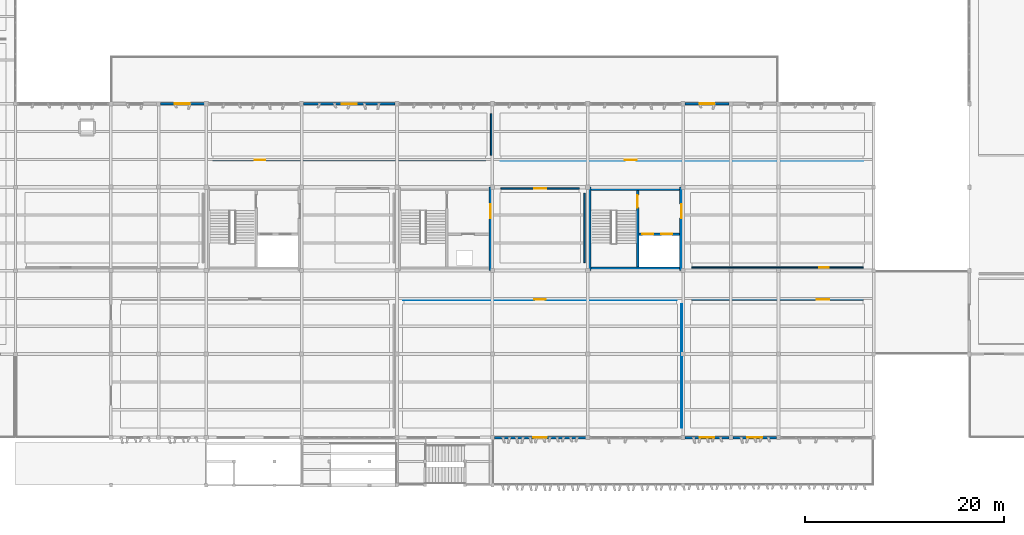
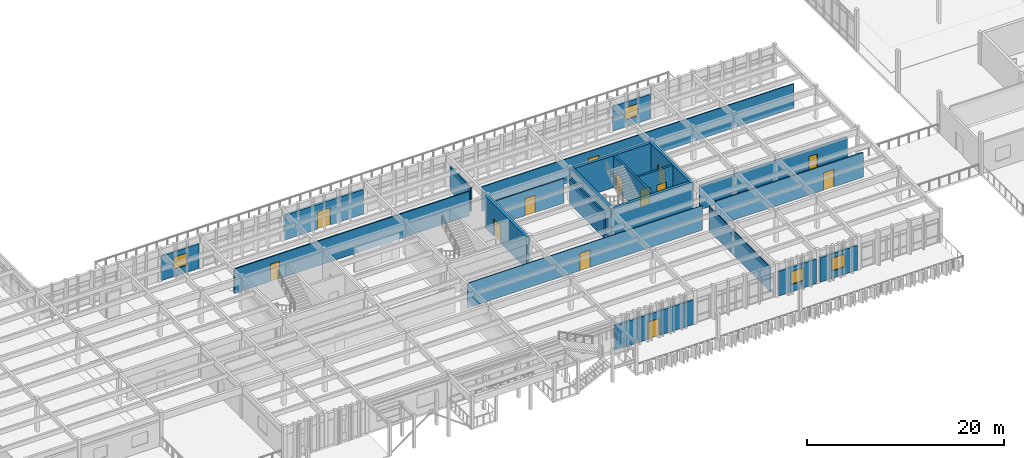
# One storey, part 43 of 61: 22 walls, 13 doors, 4 windows, 17 openings.
"""IFC4 building model written with IfcOpenShell, lengths in metres."""

from ifc_helpers import new_model, si_unit, direction, frame, frame_2d, origin, place, context, subcontext, project, spatial, rectangle, extrude, material, layer, layer_set, type_object, element, fill, save


model = new_model("IFC4")

# Units and contexts
model_context = context("Model", 3, precision=1e-05, world=origin(), true_north=direction((0.0, 1.0)))
body_context = subcontext(model_context, "Body", "Model", "MODEL_VIEW")
ifc_project = project(units=[si_unit("LENGTHUNIT", "METRE"), si_unit("AREAUNIT", "SQUARE_METRE"), si_unit("VOLUMEUNIT", "CUBIC_METRE"), si_unit("PLANEANGLEUNIT", "RADIAN"), si_unit("MASSUNIT", "GRAM", prefix="KILO")], contexts=[model_context])

# Site, building, storey
site_placement = place(None, origin())
site = spatial("IfcSite", under=ifc_project, at=site_placement, CompositionType="ELEMENT")
building_placement = place(site_placement, origin())
building = spatial("IfcBuilding", under=site, at=building_placement, Name="Kolvemor Railside Polytechnic", CompositionType="ELEMENT")
storey_placement = place(building_placement, frame((0.0, 0.0, 10.199951171875)))
storey = spatial("IfcBuildingStorey", under=building, at=storey_placement, Name="L02", CompositionType="ELEMENT", Elevation=10.199951171875)

# Walls
ifc_material_1 = material(Name="Concrete C40/50", Category="concrete")
ifc_layer_1 = layer(ifc_material_1, 0.35009765625, Name="WL-CORE-350")
ifc_layer_set_1 = layer_set([ifc_layer_1], Name="Concrete C40/50")
wall_type_1 = type_object("IfcWallType", Name="WL-CORE-350", PredefinedType="SHEAR", material=ifc_layer_set_1)
for number, where, z_axis, x_axis, name in (
    (1, (105.60009765625, 29.824951171875, 0.0), (0.0, 0.0, 1.0), (1.0, 0.0, 0.0), "CORE-2 North Core Wall L02"),
    (2, (105.60009765625, 21.77490234375, 0.0), (0.0, 0.0, 1.0), (1.0, 0.0, 0.0), "CORE-2 South Core Wall L02"),
):
    element("IfcWall", number, at=place(storey_placement, frame(where, z_axis=z_axis, x_axis=x_axis)), inside=storey, type_object=wall_type_1, Name=name, PredefinedType="SHEAR", context=body_context, shape_type="SweptSolid", body=[
        extrude(rectangle(XDim=9.599853515625, YDim=0.35009765625, at=frame_2d((4.7998046875, 0.0))), origin(), (0.0, 0.0, 1.0), 3.949951171875),
    ])
wall_1_placement = place(storey_placement, frame((105.77490234375, 21.60009765625, 0.0), z_axis=(0.0, 0.0, 1.0), x_axis=(0.0, 1.0, 0.0)))
element("IfcWall", 3, at=wall_1_placement, inside=storey, type_object=wall_type_1, Name="CORE-2 West Core Wall L02", PredefinedType="SHEAR", context=body_context, shape_type="SweptSolid", body=[
    extrude(rectangle(XDim=8.39990234375, YDim=0.35009765625, at=frame_2d((4.199951171875, 0.0))), origin(), (0.0, 0.0, 1.0), 3.949951171875),
])

# Wall, opening, door
wall_2_placement = place(storey_placement, frame((115.02490234375, 21.60009765625, 0.0), z_axis=(0.0, 0.0, 1.0), x_axis=(0.0, 1.0, 0.0)))
wall_2 = element("IfcWall", 4, at=wall_2_placement, inside=storey, type_object=wall_type_1, Name="CORE-2 East Core Wall L02", PredefinedType="SHEAR", context=body_context, shape_type="SweptSolid", body=[
    extrude(rectangle(XDim=8.39990234375, YDim=0.35009765625, at=frame_2d((4.199951171875, 0.0))), origin(), (0.0, 0.0, 1.0), 3.949951171875),
])
opening_1_placement = place(wall_2_placement, frame((5.300048828125, 0.0, 0.0)))
opening_1 = element("IfcOpeningElement", 5, at=opening_1_placement, cuts=wall_2, Name="Opening D-LOB-2-L02", PredefinedType="OPENING", context=body_context, shape_type="SweptSolid", body=[
    extrude(rectangle(XDim=1.39990234375, YDim=2.14990234375, at=frame_2d((0.699951171875, 1.074951171875))), frame((0.0, 0.18505859375, 0.0), z_axis=(0.0, -1.0, 0.0), x_axis=(1.0, 0.0, 0.0)), (0.0, 0.0, 1.0), 0.3701171875),
])
ifc_material_2 = material(Name="Fire-rated hardwood and brushed stainless-steel door", Category="steel")
door_type_1 = type_object("IfcDoorType", Name="DR-FD60-140x215", OperationType="NOTDEFINED", PredefinedType="DOOR", material=ifc_material_2)
door_1_placement = place(opening_1_placement, origin())
door_1 = element("IfcDoor", 6, at=door_1_placement, inside=storey, type_object=door_type_1, Name="Core Lobby Fire Door CORE-2 L02", OperationType="SINGLE_SWING_LEFT", OverallHeight=2.14990234375, OverallWidth=1.39990234375, PredefinedType="DOOR", context=body_context, shape_type="SweptSolid", body=[
    extrude(rectangle(XDim=1.39990234375, YDim=2.14990234375, at=frame_2d((0.699951171875, 1.074951171875))), frame((0.0, 0.02490234375, 0.0), z_axis=(0.0, -1.0, 0.0), x_axis=(1.0, 0.0, 0.0)), (0.0, 0.0, 1.0), 0.050048828125),
])
fill(opening_1, door_1)

wall_3_placement = place(storey_placement, frame((95.824951171875, 21.60009765625, 0.0), z_axis=(0.0, 0.0, 1.0), x_axis=(0.0, 1.0, 0.0)))
wall_3 = element("IfcWall", 7, at=wall_3_placement, inside=storey, type_object=wall_type_1, Name="CORE-3 East Core Wall L02", PredefinedType="SHEAR", context=body_context, shape_type="SweptSolid", body=[
    extrude(rectangle(XDim=8.39990234375, YDim=0.35009765625, at=frame_2d((4.199951171875, 0.0))), origin(), (0.0, 0.0, 1.0), 3.949951171875),
])
opening_2_placement = place(wall_3_placement, frame((5.300048828125, 0.0, 0.0)))
opening_2 = element("IfcOpeningElement", 8, at=opening_2_placement, cuts=wall_3, Name="Opening D-LOB-3-L02", PredefinedType="OPENING", context=body_context, shape_type="SweptSolid", body=[
    extrude(rectangle(XDim=1.39990234375, YDim=2.14990234375, at=frame_2d((0.699951171875, 1.074951171875))), frame((0.0, 0.18505859375, 0.0), z_axis=(0.0, -1.0, 0.0), x_axis=(1.0, 0.0, 0.0)), (0.0, 0.0, 1.0), 0.3701171875),
])
door_2_placement = place(opening_2_placement, origin())
door_2 = element("IfcDoor", 9, at=door_2_placement, inside=storey, type_object=door_type_1, Name="Core Lobby Fire Door CORE-3 L02", OperationType="SINGLE_SWING_LEFT", OverallHeight=2.14990234375, OverallWidth=1.39990234375, PredefinedType="DOOR", context=body_context, shape_type="SweptSolid", body=[
    extrude(rectangle(XDim=1.39990234375, YDim=2.14990234375, at=frame_2d((0.699951171875, 1.074951171875))), frame((0.0, 0.02490234375, 0.0), z_axis=(0.0, -1.0, 0.0), x_axis=(1.0, 0.0, 0.0)), (0.0, 0.0, 1.0), 0.050048828125),
])
fill(opening_2, door_2)

# Wall, opening, window
ifc_material_3 = material(Name="Cross-laminated timber CLT E1", Category="wood")
ifc_layer_2 = layer(ifc_material_3, 0.2099609375, Name="WL-EXT-TM-210")
ifc_layer_set_2 = layer_set([ifc_layer_2], Name="Cross-laminated timber CLT E1")
wall_type_2 = type_object("IfcWallType", Name="WL-EXT-TM-210", PredefinedType="SOLIDWALL", material=ifc_layer_set_2)
wall_4_placement = place(storey_placement, frame((67.0, 38.39990234375, 0.0), z_axis=(0.0, 0.0, 1.0), x_axis=(-1.0, 0.0, 0.0)))
wall_4 = element("IfcWall", 10, at=wall_4_placement, inside=storey, type_object=wall_type_2, Name="Exterior Wall L02-0149", PredefinedType="SOLIDWALL", context=body_context, shape_type="SweptSolid", body=[
    extrude(rectangle(XDim=4.39990234375, YDim=0.2099609375, at=frame_2d((2.199951171875, 0.0))), origin(), (0.0, 0.0, 1.0), 3.050048828125),
])
opening_3_placement = place(wall_4_placement, frame((1.449951171875, 0.0, 0.89990234375)))
opening_3 = element("IfcOpeningElement", 11, at=opening_3_placement, cuts=wall_4, Name="Opening WN-LAB4", PredefinedType="OPENING", context=body_context, shape_type="SweptSolid", body=[
    extrude(rectangle(XDim=1.5, YDim=1.5, at=frame_2d((0.75, 0.75))), frame((0.0, 0.114990234375, 0.0), z_axis=(0.0, -1.0, 0.0), x_axis=(1.0, 0.0, 0.0)), (0.0, 0.0, 1.0), 0.22998046875),
])
ifc_material_4 = material(Name="Hurricane-laminated thermally broken aluminium window", Category="aluminium")
window_type_1 = type_object("IfcWindowType", Name="WN-LAB-150x150", PartitioningType="SINGLE_PANEL", PredefinedType="WINDOW", material=ifc_material_4)
window_1_placement = place(opening_3_placement, origin())
window_1 = element("IfcWindow", 12, at=window_1_placement, inside=storey, type_object=window_type_1, Name="Window L02-0162", OverallHeight=1.5, OverallWidth=1.5, PartitioningType="SINGLE_PANEL", PredefinedType="WINDOW", context=body_context, shape_type="SweptSolid", body=[
    extrude(rectangle(XDim=1.5, YDim=1.5, at=frame_2d((0.75, 0.75))), frame((0.0, 0.030029296875, 0.0), z_axis=(0.0, -1.0, 0.0), x_axis=(1.0, 0.0, 0.0)), (0.0, 0.0, 1.0), 0.06005859375),
])
fill(opening_3, window_1)

wall_5_placement = place(storey_placement, frame((119.800048828125, 38.39990234375, 0.0), z_axis=(0.0, 0.0, 1.0), x_axis=(-1.0, 0.0, 0.0)))
wall_5 = element("IfcWall", 13, at=wall_5_placement, inside=storey, type_object=wall_type_2, Name="Exterior Wall L02-0151", PredefinedType="SOLIDWALL", context=body_context, shape_type="SweptSolid", body=[
    extrude(rectangle(XDim=4.400146484375, YDim=0.2099609375, at=frame_2d((2.2001953125, 0.0))), origin(), (0.0, 0.0, 1.0), 3.050048828125),
])
opening_4_placement = place(wall_5_placement, frame((1.449951171875, 0.0, 0.89990234375)))
opening_4 = element("IfcOpeningElement", 14, at=opening_4_placement, cuts=wall_5, Name="Opening WN-LAB4", PredefinedType="OPENING", context=body_context, shape_type="SweptSolid", body=[
    extrude(rectangle(XDim=1.5, YDim=1.5, at=frame_2d((0.75, 0.75))), frame((0.0, 0.114990234375, 0.0), z_axis=(0.0, -1.0, 0.0), x_axis=(1.0, 0.0, 0.0)), (0.0, 0.0, 1.0), 0.22998046875),
])
window_2_placement = place(opening_4_placement, origin())
window_2 = element("IfcWindow", 15, at=window_2_placement, inside=storey, type_object=window_type_1, Name="Window L02-0163", OverallHeight=1.5, OverallWidth=1.5, PartitioningType="SINGLE_PANEL", PredefinedType="WINDOW", context=body_context, shape_type="SweptSolid", body=[
    extrude(rectangle(XDim=1.5, YDim=1.5, at=frame_2d((0.75, 0.75))), frame((0.0, 0.030029296875, 0.0), z_axis=(0.0, -1.0, 0.0), x_axis=(1.0, 0.0, 0.0)), (0.0, 0.0, 1.0), 0.06005859375),
])
fill(opening_4, window_2)

# Wall, opening, door
ifc_material_5 = material(Name="Cross-laminated timber CLT E1", Category="wood")
ifc_layer_3 = layer(ifc_material_5, 0.2548828125, Name="WL-EXT-TM-255")
ifc_layer_set_3 = layer_set([ifc_layer_3], Name="Cross-laminated timber CLT E1")
wall_type_3 = type_object("IfcWallType", Name="WL-EXT-TM-255", PredefinedType="SOLIDWALL", material=ifc_layer_set_3)
wall_6_placement = place(storey_placement, frame((96.199951171875, 4.800048828125, 0.0), z_axis=(0.0, 0.0, 1.0), x_axis=(1.0, 0.0, 0.0)))
wall_6 = element("IfcWall", 16, at=wall_6_placement, inside=storey, type_object=wall_type_3, Name="Exterior Wall L02-0126", PredefinedType="SOLIDWALL", context=body_context, shape_type="SweptSolid", body=[
    extrude(rectangle(XDim=9.199951171875, YDim=0.2548828125, at=frame_2d((4.60009765625, 0.0))), origin(), (0.0, 0.0, 1.0), 3.050048828125),
])
opening_5_placement = place(wall_6_placement, frame((3.925048828125, 0.0, 0.0)))
opening_5 = element("IfcOpeningElement", 17, at=opening_5_placement, cuts=wall_6, Name="Opening D-TER-L02SEP", PredefinedType="OPENING", context=body_context, shape_type="SweptSolid", body=[
    extrude(rectangle(XDim=1.35009765625, YDim=2.14990234375, at=frame_2d((0.675048828125, 1.074951171875))), frame((0.0, 0.137451171875, 0.0), z_axis=(0.0, -1.0, 0.0), x_axis=(1.0, 0.0, 0.0)), (0.0, 0.0, 1.0), 0.27490234375),
])
ifc_material_6 = material(Name="Marine-grade thermally broken aluminium and laminated glass door", Category="aluminium")
door_type_2 = type_object("IfcDoorType", Name="DR-TER-135x215", OperationType="NOTDEFINED", PredefinedType="DOOR", material=ifc_material_6)
door_3_placement = place(opening_5_placement, origin())
door_3 = element("IfcDoor", 18, at=door_3_placement, inside=storey, type_object=door_type_2, Name="Exterior Door D-TER-L02SEP", OperationType="SINGLE_SWING_RIGHT", OverallHeight=2.14990234375, OverallWidth=1.35009765625, PredefinedType="DOOR", context=body_context, shape_type="SweptSolid", body=[
    extrude(rectangle(XDim=1.35009765625, YDim=2.14990234375, at=frame_2d((0.675048828125, 1.074951171875))), frame((0.0, 0.02490234375, 0.0), z_axis=(0.0, -1.0, 0.0), x_axis=(1.0, 0.0, 0.0)), (0.0, 0.0, 1.0), 0.050048828125),
])
fill(opening_5, door_3)

# Wall, opening, window
wall_7_placement = place(storey_placement, frame((115.39990234375, 4.800048828125, 0.0), z_axis=(0.0, 0.0, 1.0), x_axis=(1.0, 0.0, 0.0)))
wall_7 = element("IfcWall", 19, at=wall_7_placement, inside=storey, type_object=wall_type_3, Name="Exterior Wall L02-0127", PredefinedType="SOLIDWALL", context=body_context, shape_type="SweptSolid", body=[
    extrude(rectangle(XDim=4.400146484375, YDim=0.2548828125, at=frame_2d((2.2001953125, 0.0))), origin(), (0.0, 0.0, 1.0), 3.050048828125),
])
opening_6_placement = place(wall_7_placement, frame((1.449951171875, 0.0, 0.89990234375)))
opening_6 = element("IfcOpeningElement", 20, at=opening_6_placement, cuts=wall_7, Name="Opening WN-STU4", PredefinedType="OPENING", context=body_context, shape_type="SweptSolid", body=[
    extrude(rectangle(XDim=1.5, YDim=1.60009765625, at=frame_2d((0.75, 0.800048828125))), frame((0.0, 0.137451171875, 0.0), z_axis=(0.0, -1.0, 0.0), x_axis=(1.0, 0.0, 0.0)), (0.0, 0.0, 1.0), 0.27490234375),
])
ifc_material_7 = material(Name="Hurricane-laminated thermally broken aluminium window", Category="aluminium")
window_type_2 = type_object("IfcWindowType", Name="WN-STU-150x160", PartitioningType="SINGLE_PANEL", PredefinedType="WINDOW", material=ifc_material_7)
window_3_placement = place(opening_6_placement, origin())
window_3 = element("IfcWindow", 21, at=window_3_placement, inside=storey, type_object=window_type_2, Name="Window L02-0136", OverallHeight=1.60009765625, OverallWidth=1.5, PartitioningType="SINGLE_PANEL", PredefinedType="WINDOW", context=body_context, shape_type="SweptSolid", body=[
    extrude(rectangle(XDim=1.5, YDim=1.60009765625, at=frame_2d((0.75, 0.800048828125))), frame((0.0, 0.030029296875, 0.0), z_axis=(0.0, -1.0, 0.0), x_axis=(1.0, 0.0, 0.0)), (0.0, 0.0, 1.0), 0.06005859375),
])
fill(opening_6, window_3)

wall_8_placement = place(storey_placement, frame((120.199951171875, 4.800048828125, 0.0), z_axis=(0.0, 0.0, 1.0), x_axis=(1.0, 0.0, 0.0)))
wall_8 = element("IfcWall", 22, at=wall_8_placement, inside=storey, type_object=wall_type_3, Name="Exterior Wall L02-0128", PredefinedType="SOLIDWALL", context=body_context, shape_type="SweptSolid", body=[
    extrude(rectangle(XDim=4.400146484375, YDim=0.2548828125, at=frame_2d((2.2001953125, 0.0))), origin(), (0.0, 0.0, 1.0), 3.050048828125),
])
opening_7_placement = place(wall_8_placement, frame((1.449951171875, 0.0, 0.89990234375)))
opening_7 = element("IfcOpeningElement", 23, at=opening_7_placement, cuts=wall_8, Name="Opening WN-STU4", PredefinedType="OPENING", context=body_context, shape_type="SweptSolid", body=[
    extrude(rectangle(XDim=1.5, YDim=1.60009765625, at=frame_2d((0.75, 0.800048828125))), frame((0.0, 0.137451171875, 0.0), z_axis=(0.0, -1.0, 0.0), x_axis=(1.0, 0.0, 0.0)), (0.0, 0.0, 1.0), 0.27490234375),
])
window_4_placement = place(opening_7_placement, origin())
window_4 = element("IfcWindow", 24, at=window_4_placement, inside=storey, type_object=window_type_2, Name="Window L02-0137", OverallHeight=1.60009765625, OverallWidth=1.5, PartitioningType="SINGLE_PANEL", PredefinedType="WINDOW", context=body_context, shape_type="SweptSolid", body=[
    extrude(rectangle(XDim=1.5, YDim=1.60009765625, at=frame_2d((0.75, 0.800048828125))), frame((0.0, 0.030029296875, 0.0), z_axis=(0.0, -1.0, 0.0), x_axis=(1.0, 0.0, 0.0)), (0.0, 0.0, 1.0), 0.06005859375),
])
fill(opening_7, window_4)

# Wall, opening, door
wall_9_placement = place(storey_placement, frame((86.199951171875, 38.39990234375, 0.0), z_axis=(0.0, 0.0, 1.0), x_axis=(-1.0, 0.0, 0.0)))
wall_9 = element("IfcWall", 25, at=wall_9_placement, inside=storey, type_object=wall_type_3, Name="Exterior Wall L02-0150", PredefinedType="SOLIDWALL", context=body_context, shape_type="SweptSolid", body=[
    extrude(rectangle(XDim=9.199951171875, YDim=0.2548828125, at=frame_2d((4.60009765625, 0.0))), origin(), (0.0, 0.0, 1.0), 3.050048828125),
])
opening_8_placement = place(wall_9_placement, frame((3.85009765625, 0.0, 0.0)))
opening_8 = element("IfcOpeningElement", 26, at=opening_8_placement, cuts=wall_9, Name="Opening D-TER-L02N", PredefinedType="OPENING", context=body_context, shape_type="SweptSolid", body=[
    extrude(rectangle(XDim=1.5, YDim=2.14990234375, at=frame_2d((0.75, 1.074951171875))), frame((0.0, 0.137451171875, 0.0), z_axis=(0.0, -1.0, 0.0), x_axis=(1.0, 0.0, 0.0)), (0.0, 0.0, 1.0), 0.27490234375),
])
ifc_material_8 = material(Name="Marine-grade thermally broken aluminium and laminated glass door", Category="aluminium")
door_type_3 = type_object("IfcDoorType", Name="DR-TER-150x215", OperationType="NOTDEFINED", PredefinedType="DOOR", material=ifc_material_8)
door_4_placement = place(opening_8_placement, origin())
door_4 = element("IfcDoor", 27, at=door_4_placement, inside=storey, type_object=door_type_3, Name="Exterior Door D-TER-L02N", OperationType="SINGLE_SWING_LEFT", OverallHeight=2.14990234375, OverallWidth=1.5, PredefinedType="DOOR", context=body_context, shape_type="SweptSolid", body=[
    extrude(rectangle(XDim=1.5, YDim=2.14990234375, at=frame_2d((0.75, 1.074951171875))), frame((0.0, 0.02490234375, 0.0), z_axis=(0.0, -1.0, 0.0), x_axis=(1.0, 0.0, 0.0)), (0.0, 0.0, 1.0), 0.050048828125),
])
fill(opening_8, door_4)

ifc_material_9 = material(Name="Demountable studio critique screen wall")
ifc_layer_4 = layer(ifc_material_9, 0.10009765625, Name="WL-MOV-100")
ifc_layer_set_4 = layer_set([ifc_layer_4], Name="Demountable studio critique screen wall")
wall_type_4 = type_object("IfcWallType", Name="WL-MOV-100", PredefinedType="MOVABLE", material=ifc_layer_set_4)
wall_10_placement = place(storey_placement, frame((87.050048828125, 18.679931640625, 0.0), z_axis=(0.0, 0.0, 1.0), x_axis=(1.0, 0.0, 0.0)))
wall_10 = element("IfcWall", 28, at=wall_10_placement, inside=storey, type_object=wall_type_4, Name="Partition Wall L02-0143", PredefinedType="MOVABLE", context=body_context, shape_type="SweptSolid", body=[
    extrude(rectangle(XDim=27.5, YDim=0.10009765625, at=frame_2d((13.75, 0.0))), origin(), (0.0, 0.0, 1.0), 3.030029296875),
])
opening_9_placement = place(wall_10_placement, frame((13.159912109375, 0.0, 0.0)))
opening_9 = element("IfcOpeningElement", 29, at=opening_9_placement, cuts=wall_10, Name="Opening D-02081", PredefinedType="OPENING", context=body_context, shape_type="SweptSolid", body=[
    extrude(rectangle(XDim=1.179931640625, YDim=2.14990234375, at=frame_2d((0.58984375, 1.074951171875))), frame((0.0, 0.06005859375, 0.0), z_axis=(0.0, -1.0, 0.0), x_axis=(1.0, 0.0, 0.0)), (0.0, 0.0, 1.0), 0.1201171875),
])
ifc_material_10 = material(Name="Solid hardwood acoustic door", Category="wood")
door_type_4 = type_object("IfcDoorType", Name="DR-STU-118x215", OperationType="NOTDEFINED", PredefinedType="DOOR", material=ifc_material_10)
door_5_placement = place(opening_9_placement, origin())
door_5 = element("IfcDoor", 30, at=door_5_placement, inside=storey, type_object=door_type_4, Name="Room Door D-02081 (Tropical Architecture Design Studio)", OperationType="SINGLE_SWING_RIGHT", OverallHeight=2.14990234375, OverallWidth=1.179931640625, PredefinedType="DOOR", context=body_context, shape_type="SweptSolid", body=[
    extrude(rectangle(XDim=1.179931640625, YDim=2.14990234375, at=frame_2d((0.58984375, 1.074951171875))), frame((0.0, 0.02490234375, 0.0), z_axis=(0.0, -1.0, 0.0), x_axis=(1.0, 0.0, 0.0)), (0.0, 0.0, 1.0), 0.050048828125),
])
fill(opening_9, door_5)

# Wall
wall_11_placement = place(storey_placement, frame((115.080078125, 5.800048828125, 0.0), z_axis=(0.0, 0.0, 1.0), x_axis=(0.0, 1.0, 0.0)))
element("IfcWall", 31, at=wall_11_placement, inside=storey, type_object=wall_type_4, Name="Demising Partition L02-0144", PredefinedType="MOVABLE", context=body_context, shape_type="SweptSolid", body=[
    extrude(rectangle(XDim=12.39990234375, YDim=0.10009765625, at=frame_2d((6.199951171875, 0.0))), origin(), (0.0, 0.0, 1.0), 3.030029296875),
])

# Wall, opening, door
wall_12_placement = place(storey_placement, frame((96.85009765625, 32.719970703125, 0.0), z_axis=(0.0, 0.0, 1.0), x_axis=(1.0, 0.0, 0.0)))
wall_12 = element("IfcWall", 32, at=wall_12_placement, inside=storey, type_object=wall_type_4, Name="Partition Wall L02-0155", PredefinedType="MOVABLE", context=body_context, shape_type="SweptSolid", body=[
    extrude(rectangle(XDim=36.5, YDim=0.10009765625, at=frame_2d((18.25, 0.0))), origin(), (0.0, 0.0, 1.0), 3.030029296875),
])
opening_10_placement = place(wall_12_placement, frame((12.48193359375, 0.0, 0.0)))
opening_10 = element("IfcOpeningElement", 33, at=opening_10_placement, cuts=wall_12, Name="Opening D-02088", PredefinedType="OPENING", context=body_context, shape_type="SweptSolid", body=[
    extrude(rectangle(XDim=1.179931640625, YDim=2.14990234375, at=frame_2d((0.58984375, 1.074951171875))), frame((0.0, 0.06005859375, 0.0), z_axis=(0.0, -1.0, 0.0), x_axis=(1.0, 0.0, 0.0)), (0.0, 0.0, 1.0), 0.1201171875),
])
door_6_placement = place(opening_10_placement, origin())
door_6 = element("IfcDoor", 34, at=door_6_placement, inside=storey, type_object=door_type_4, Name="Room Door D-02088 (Product Ergonomics Design Studio)", OperationType="SINGLE_SWING_LEFT", OverallHeight=2.14990234375, OverallWidth=1.179931640625, PredefinedType="DOOR", context=body_context, shape_type="SweptSolid", body=[
    extrude(rectangle(XDim=1.179931640625, YDim=2.14990234375, at=frame_2d((0.58984375, 1.074951171875))), frame((0.0, 0.02490234375, 0.0), z_axis=(0.0, -1.0, 0.0), x_axis=(1.0, 0.0, 0.0)), (0.0, 0.0, 1.0), 0.050048828125),
])
fill(opening_10, door_6)

ifc_material_11 = material(Name="Wet-area tile-backer partition")
ifc_layer_5 = layer(ifc_material_11, 0.1201171875, Name="WL-PART-120")
ifc_layer_set_5 = layer_set([ifc_layer_5], Name="Wet-area tile-backer partition")
wall_type_5 = type_object("IfcWallType", Name="WL-PART-120", PredefinedType="PARTITIONING", material=ifc_layer_set_5)
wall_13_placement = place(storey_placement, frame((116.050048828125, 21.919921875, 0.0), z_axis=(0.0, 0.0, 1.0), x_axis=(1.0, 0.0, 0.0)))
wall_13 = element("IfcWall", 35, at=wall_13_placement, inside=storey, type_object=wall_type_5, Name="Partition Wall L02-0152", PredefinedType="PARTITIONING", context=body_context, shape_type="SweptSolid", body=[
    extrude(rectangle(XDim=17.300048828125, YDim=0.1201171875, at=frame_2d((8.64990234375, 0.0))), origin(), (0.0, 0.0, 1.0), 3.030029296875),
])
opening_11_placement = place(wall_13_placement, frame((12.840087890625, 0.0, 0.0)))
opening_11 = element("IfcOpeningElement", 36, at=opening_11_placement, cuts=wall_13, Name="Opening D-02086", PredefinedType="OPENING", context=body_context, shape_type="SweptSolid", body=[
    extrude(rectangle(XDim=0.949951171875, YDim=2.10009765625, at=frame_2d((0.47509765625, 1.050048828125))), frame((0.0, 0.070068359375, 0.0), z_axis=(0.0, -1.0, 0.0), x_axis=(1.0, 0.0, 0.0)), (0.0, 0.0, 1.0), 0.14013671875),
])
ifc_material_12 = material(Name="Solid hardwood acoustic door", Category="wood")
door_type_5 = type_object("IfcDoorType", Name="DR-WC-095x210", OperationType="NOTDEFINED", PredefinedType="DOOR", material=ifc_material_12)
door_7_placement = place(opening_11_placement, origin())
door_7 = element("IfcDoor", 37, at=door_7_placement, inside=storey, type_object=door_type_5, Name="Room Door D-02086 (Main Stack Public and Accessible WC L02)", OperationType="SINGLE_SWING_LEFT", OverallHeight=2.10009765625, OverallWidth=0.949951171875, PredefinedType="DOOR", context=body_context, shape_type="SweptSolid", body=[
    extrude(rectangle(XDim=0.949951171875, YDim=2.10009765625, at=frame_2d((0.47509765625, 1.050048828125))), frame((0.0, 0.02490234375, 0.0), z_axis=(0.0, -1.0, 0.0), x_axis=(1.0, 0.0, 0.0)), (0.0, 0.0, 1.0), 0.050048828125),
])
fill(opening_11, door_7)

ifc_material_13 = material(Name="Seminar acoustic partition")
ifc_layer_6 = layer(ifc_material_13, 0.139892578125, Name="WL-PART-140")
ifc_layer_set_6 = layer_set([ifc_layer_6], Name="Seminar acoustic partition")
wall_type_6 = type_object("IfcWallType", Name="WL-PART-140", PredefinedType="PARTITIONING", material=ifc_layer_set_6)
wall_14_placement = place(storey_placement, frame((67.85009765625, 32.719970703125, 0.0), z_axis=(0.0, 0.0, 1.0), x_axis=(1.0, 0.0, 0.0)))
wall_14 = element("IfcWall", 38, at=wall_14_placement, inside=storey, type_object=wall_type_6, Name="Partition Wall L02-0153", PredefinedType="PARTITIONING", context=body_context, shape_type="SweptSolid", body=[
    extrude(rectangle(XDim=27.5, YDim=0.139892578125, at=frame_2d((13.75, 0.0))), origin(), (0.0, 0.0, 1.0), 3.030029296875),
])
opening_12_placement = place(wall_14_placement, frame((4.2490234375, 0.0, 0.0)))
opening_12 = element("IfcOpeningElement", 39, at=opening_12_placement, cuts=wall_14, Name="Opening D-02087", PredefinedType="OPENING", context=body_context, shape_type="SweptSolid", body=[
    extrude(rectangle(XDim=1.0400390625, YDim=2.14990234375, at=frame_2d((0.52001953125, 1.074951171875))), frame((0.0, 0.079833984375, 0.0), z_axis=(0.0, -1.0, 0.0), x_axis=(1.0, 0.0, 0.0)), (0.0, 0.0, 1.0), 0.159912109375),
])
ifc_material_14 = material(Name="Solid hardwood acoustic door", Category="wood")
door_type_6 = type_object("IfcDoorType", Name="DR-SEM-104x215", OperationType="NOTDEFINED", PredefinedType="DOOR", material=ifc_material_14)
door_8_placement = place(opening_12_placement, origin())
door_8 = element("IfcDoor", 40, at=door_8_placement, inside=storey, type_object=door_type_6, Name="Room Door D-02087 (Seminar Room 204)", OperationType="SINGLE_SWING_RIGHT", OverallHeight=2.14990234375, OverallWidth=1.0400390625, PredefinedType="DOOR", context=body_context, shape_type="SweptSolid", body=[
    extrude(rectangle(XDim=1.0400390625, YDim=2.14990234375, at=frame_2d((0.52001953125, 1.074951171875))), frame((0.0, 0.02490234375, 0.0), z_axis=(0.0, -1.0, 0.0), x_axis=(1.0, 0.0, 0.0)), (0.0, 0.0, 1.0), 0.050048828125),
])
fill(opening_12, door_8)

# Wall
wall_15_placement = place(storey_placement, frame((95.8798828125, 33.199951171875, 0.0), z_axis=(0.0, 0.0, 1.0), x_axis=(0.0, 1.0, 0.0)))
element("IfcWall", 41, at=wall_15_placement, inside=storey, type_object=wall_type_6, Name="Demising Partition L02-0154", PredefinedType="PARTITIONING", context=body_context, shape_type="SweptSolid", body=[
    extrude(rectangle(XDim=4.199951171875, YDim=0.139892578125, at=frame_2d((2.10009765625, 0.0))), origin(), (0.0, 0.0, 1.0), 3.030029296875),
])

# Wall, opening, door
ifc_material_15 = material(Name="Fire-rated laboratory corridor partition")
ifc_layer_7 = layer(ifc_material_15, 0.1650390625, Name="WL-PART-165")
ifc_layer_set_7 = layer_set([ifc_layer_7], Name="Fire-rated laboratory corridor partition")
wall_type_7 = type_object("IfcWallType", Name="WL-PART-165", PredefinedType="PARTITIONING", material=ifc_layer_set_7)
wall_16_placement = place(storey_placement, frame((116.050048828125, 18.679931640625, 0.0), z_axis=(0.0, 0.0, 1.0), x_axis=(1.0, 0.0, 0.0)))
wall_16 = element("IfcWall", 42, at=wall_16_placement, inside=storey, type_object=wall_type_7, Name="Partition Wall L02-0145", PredefinedType="PARTITIONING", context=body_context, shape_type="SweptSolid", body=[
    extrude(rectangle(XDim=17.300048828125, YDim=0.1650390625, at=frame_2d((8.64990234375, 0.0))), origin(), (0.0, 0.0, 1.0), 3.030029296875),
])
opening_13_placement = place(wall_16_placement, frame((12.6240234375, 0.0, 0.0)))
opening_13 = element("IfcOpeningElement", 43, at=opening_13_placement, cuts=wall_16, Name="Opening D-02082", PredefinedType="OPENING", context=body_context, shape_type="SweptSolid", body=[
    extrude(rectangle(XDim=1.219970703125, YDim=2.14990234375, at=frame_2d((0.60986328125, 1.074951171875))), frame((0.0, 0.092529296875, 0.0), z_axis=(0.0, -1.0, 0.0), x_axis=(1.0, 0.0, 0.0)), (0.0, 0.0, 1.0), 0.18505859375),
])
ifc_material_16 = material(Name="Fire-rated hardwood and brushed stainless-steel door", Category="steel")
door_type_7 = type_object("IfcDoorType", Name="DR-LAB-122x215", OperationType="NOTDEFINED", PredefinedType="DOOR", material=ifc_material_16)
door_9_placement = place(opening_13_placement, origin())
door_9 = element("IfcDoor", 44, at=door_9_placement, inside=storey, type_object=door_type_7, Name="Room Door D-02082 (Solar Photovoltaics and Microgrid Laboratory)", OperationType="SINGLE_SWING_LEFT", OverallHeight=2.14990234375, OverallWidth=1.219970703125, PredefinedType="DOOR", context=body_context, shape_type="SweptSolid", body=[
    extrude(rectangle(XDim=1.219970703125, YDim=2.14990234375, at=frame_2d((0.60986328125, 1.074951171875))), frame((0.0, 0.02490234375, 0.0), z_axis=(0.0, -1.0, 0.0), x_axis=(1.0, 0.0, 0.0)), (0.0, 0.0, 1.0), 0.050048828125),
])
fill(opening_13, door_9)

wall_17_placement = place(storey_placement, frame((96.85009765625, 29.8798828125, 0.0), z_axis=(0.0, 0.0, 1.0), x_axis=(1.0, 0.0, 0.0)))
wall_17 = element("IfcWall", 45, at=wall_17_placement, inside=storey, type_object=wall_type_7, Name="Partition Wall L02-0150", PredefinedType="PARTITIONING", context=body_context, shape_type="SweptSolid", body=[
    extrude(rectangle(XDim=7.89990234375, YDim=0.1650390625, at=frame_2d((3.949951171875, 0.0))), origin(), (0.0, 0.0, 1.0), 3.030029296875),
])
opening_14_placement = place(wall_17_placement, frame((3.340087890625, 0.0, 0.0)))
opening_14 = element("IfcOpeningElement", 46, at=opening_14_placement, cuts=wall_17, Name="Opening D-02085", PredefinedType="OPENING", context=body_context, shape_type="SweptSolid", body=[
    extrude(rectangle(XDim=1.219970703125, YDim=2.14990234375, at=frame_2d((0.60986328125, 1.074951171875))), frame((0.0, 0.092529296875, 0.0), z_axis=(0.0, -1.0, 0.0), x_axis=(1.0, 0.0, 0.0)), (0.0, 0.0, 1.0), 0.18505859375),
])
door_10_placement = place(opening_14_placement, origin())
door_10 = element("IfcDoor", 47, at=door_10_placement, inside=storey, type_object=door_type_7, Name="Room Door D-02085 (Telecommunications and RF Laboratory)", OperationType="SINGLE_SWING_RIGHT", OverallHeight=2.14990234375, OverallWidth=1.219970703125, PredefinedType="DOOR", context=body_context, shape_type="SweptSolid", body=[
    extrude(rectangle(XDim=1.219970703125, YDim=2.14990234375, at=frame_2d((0.60986328125, 1.074951171875))), frame((0.0, 0.02490234375, 0.0), z_axis=(0.0, -1.0, 0.0), x_axis=(1.0, 0.0, 0.0)), (0.0, 0.0, 1.0), 0.050048828125),
])
fill(opening_14, door_10)

# Wall
wall_18_placement = place(storey_placement, frame((105.280029296875, 22.39990234375, 0.0), z_axis=(0.0, 0.0, 1.0), x_axis=(0.0, 1.0, 0.0)))
element("IfcWall", 48, at=wall_18_placement, inside=storey, type_object=wall_type_7, Name="Demising Partition L02-0151", PredefinedType="PARTITIONING", context=body_context, shape_type="SweptSolid", body=[
    extrude(rectangle(XDim=7.0, YDim=0.1650390625, at=frame_2d((3.5, 0.0))), origin(), (0.0, 0.0, 1.0), 3.030029296875),
])

# Wall, opening, door
ifc_material_17 = material(Name="Concrete C40/50", Category="concrete")
ifc_layer_8 = layer(ifc_material_17, 0.25, Name="WL-SHFT-250")
ifc_layer_set_8 = layer_set([ifc_layer_8], Name="Concrete C40/50")
wall_type_8 = type_object("IfcWallType", Name="WL-SHFT-250", PredefinedType="SHEAR", material=ifc_layer_set_8)
wall_19_placement = place(storey_placement, frame((110.625, 29.64990234375, 0.0), z_axis=(0.0, 0.0, 1.0), x_axis=(0.0, -1.0, 0.0)))
wall_19 = element("IfcWall", 49, at=wall_19_placement, inside=storey, type_object=wall_type_8, Name="CORE-2 Stair-Lobby Divider Wall L02", PredefinedType="SHEAR", context=body_context, shape_type="SweptSolid", body=[
    extrude(rectangle(XDim=7.699951171875, YDim=0.25, at=frame_2d((3.85009765625, 0.0))), origin(), (0.0, 0.0, 1.0), 3.949951171875),
])
opening_15_placement = place(wall_19_placement, frame((0.449951171875, 0.0, 0.0)))
opening_15 = element("IfcOpeningElement", 50, at=opening_15_placement, cuts=wall_19, Name="Opening D-ST-2-L02", PredefinedType="OPENING", context=body_context, shape_type="SweptSolid", body=[
    extrude(rectangle(XDim=1.25, YDim=2.14990234375, at=frame_2d((0.625, 1.074951171875))), frame((0.0, 0.135009765625, 0.0), z_axis=(0.0, -1.0, 0.0), x_axis=(1.0, 0.0, 0.0)), (0.0, 0.0, 1.0), 0.27001953125),
])
ifc_material_18 = material(Name="Fire-rated hardwood and brushed stainless-steel door", Category="steel")
door_type_8 = type_object("IfcDoorType", Name="DR-FD90-125x215", OperationType="NOTDEFINED", PredefinedType="DOOR", material=ifc_material_18)
door_11_placement = place(opening_15_placement, origin())
door_11 = element("IfcDoor", 51, at=door_11_placement, inside=storey, type_object=door_type_8, Name="Stair Fire Door ST-2 L02", OperationType="SINGLE_SWING_RIGHT", OverallHeight=2.14990234375, OverallWidth=1.25, PredefinedType="DOOR", context=body_context, shape_type="SweptSolid", body=[
    extrude(rectangle(XDim=1.25, YDim=2.14990234375, at=frame_2d((0.625, 1.074951171875))), frame((0.0, 0.02490234375, 0.0), z_axis=(0.0, -1.0, 0.0), x_axis=(1.0, 0.0, 0.0)), (0.0, 0.0, 1.0), 0.050048828125),
])
fill(opening_15, door_11)

# Wall, openings, doors
wall_20_placement = place(storey_placement, frame((110.75, 25.27490234375, 0.0), z_axis=(0.0, 0.0, 1.0), x_axis=(1.0, 0.0, 0.0)))
wall_20 = element("IfcWall", 52, at=wall_20_placement, inside=storey, type_object=wall_type_8, Name="CORE-2 Lift Shaft Front Wall L02", PredefinedType="SHEAR", context=body_context, shape_type="SweptSolid", body=[
    extrude(rectangle(XDim=4.10009765625, YDim=0.25, at=frame_2d((2.050048828125, 0.0))), origin(), (0.0, 0.0, 1.0), 3.949951171875),
])
opening_16_placement = place(wall_20_placement, frame((0.35009765625, 0.0, 0.0)))
opening_16 = element("IfcOpeningElement", 53, at=opening_16_placement, cuts=wall_20, Name="Opening LD-FL-2-L02", PredefinedType="OPENING", context=body_context, shape_type="SweptSolid", body=[
    extrude(rectangle(XDim=1.10009765625, YDim=2.14990234375, at=frame_2d((0.550048828125, 1.074951171875))), frame((0.0, 0.135009765625, 0.0), z_axis=(0.0, -1.0, 0.0), x_axis=(1.0, 0.0, 0.0)), (0.0, 0.0, 1.0), 0.27001953125),
])
opening_17_placement = place(wall_20_placement, frame((2.25, 0.0, 0.0)))
opening_17 = element("IfcOpeningElement", 54, at=opening_17_placement, cuts=wall_20, Name="Opening LD-PL-2-L02", PredefinedType="OPENING", context=body_context, shape_type="SweptSolid", body=[
    extrude(rectangle(XDim=1.10009765625, YDim=2.14990234375, at=frame_2d((0.550048828125, 1.074951171875))), frame((0.0, 0.135009765625, 0.0), z_axis=(0.0, -1.0, 0.0), x_axis=(1.0, 0.0, 0.0)), (0.0, 0.0, 1.0), 0.27001953125),
])
ifc_material_19 = material(Name="Fire-rated hardwood and brushed stainless-steel door", Category="steel")
door_type_9 = type_object("IfcDoorType", Name="DR-LIFT-110x215", OperationType="SLIDING_TO_LEFT", PredefinedType="DOOR", material=ifc_material_19)
door_12_placement = place(opening_16_placement, origin())
door_12 = element("IfcDoor", 55, at=door_12_placement, inside=storey, type_object=door_type_9, Name="Lift Landing Sliding Door FL-2 L02", OperationType="SLIDING_TO_LEFT", OverallHeight=2.14990234375, OverallWidth=1.10009765625, PredefinedType="DOOR", context=body_context, shape_type="SweptSolid", body=[
    extrude(rectangle(XDim=1.10009765625, YDim=2.14990234375, at=frame_2d((0.550048828125, 1.074951171875))), frame((0.0, 0.02490234375, 0.0), z_axis=(0.0, -1.0, 0.0), x_axis=(1.0, 0.0, 0.0)), (0.0, 0.0, 1.0), 0.050048828125),
])
fill(opening_16, door_12)
door_13_placement = place(opening_17_placement, origin())
door_13 = element("IfcDoor", 56, at=door_13_placement, inside=storey, type_object=door_type_9, Name="Lift Landing Sliding Door PL-2 L02", OperationType="SLIDING_TO_LEFT", OverallHeight=2.14990234375, OverallWidth=1.10009765625, PredefinedType="DOOR", context=body_context, shape_type="SweptSolid", body=[
    extrude(rectangle(XDim=1.10009765625, YDim=2.14990234375, at=frame_2d((0.550048828125, 1.074951171875))), frame((0.0, 0.02490234375, 0.0), z_axis=(0.0, -1.0, 0.0), x_axis=(1.0, 0.0, 0.0)), (0.0, 0.0, 1.0), 0.050048828125),
])
fill(opening_17, door_13)

save(model, "model.ifc")
